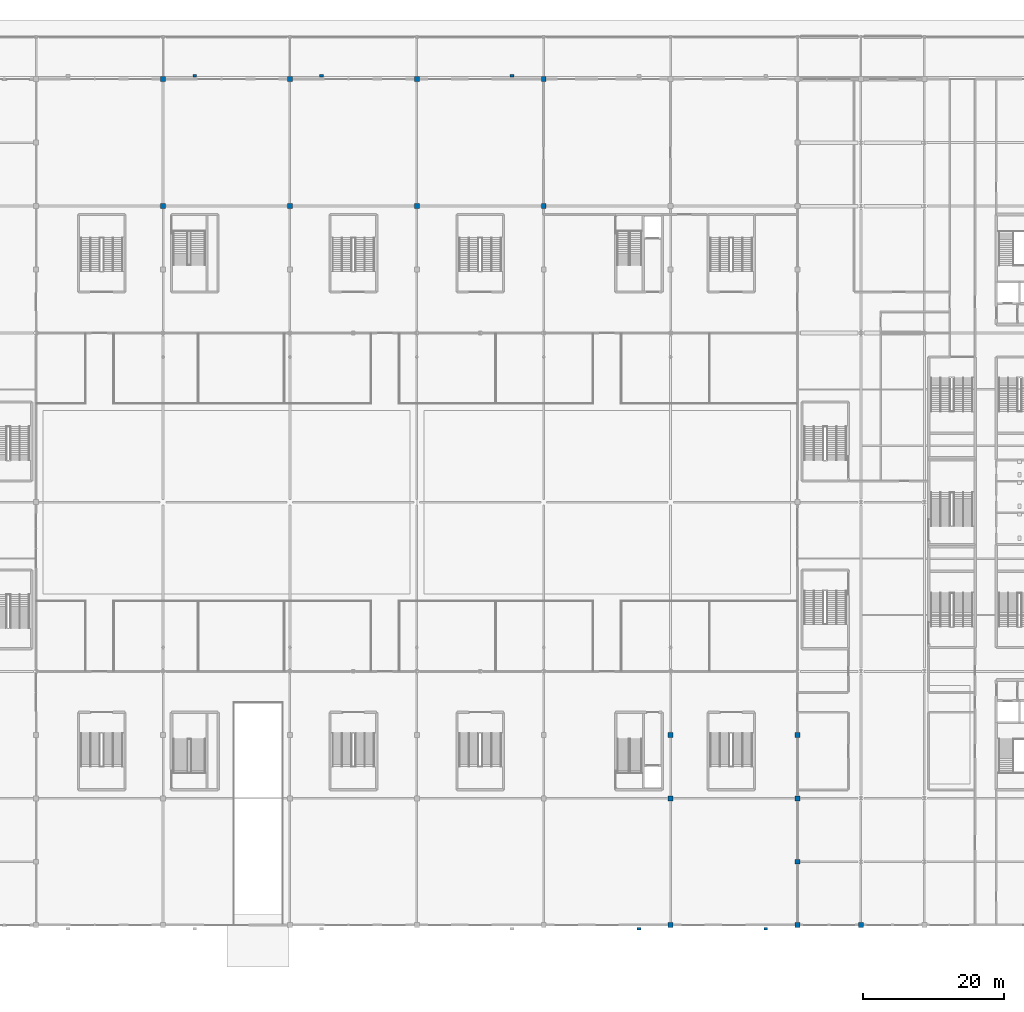
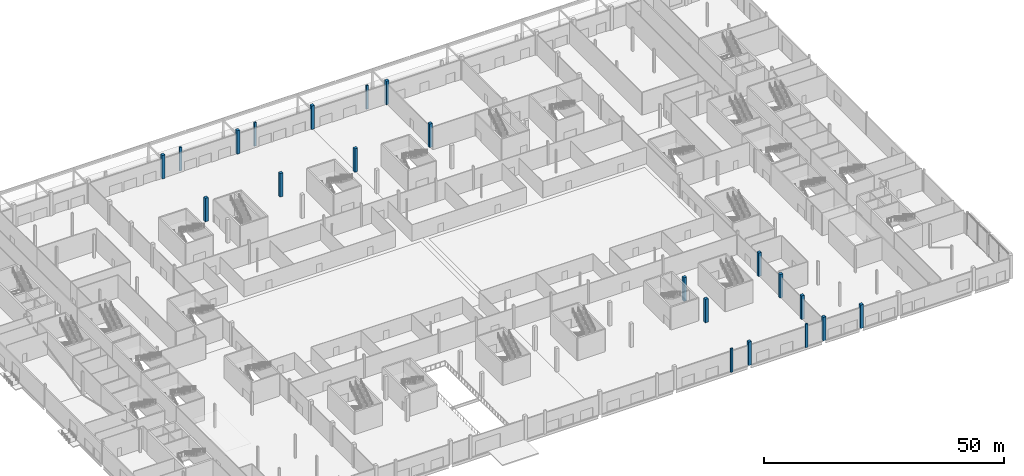
# One storey, part 9 of 84: 21 columns.
"""IFC4 building model written with IfcOpenShell, lengths in metres."""

from ifc_helpers import new_model, si_unit, direction, frame, origin, origin_2d, place, context, subcontext, project, spatial, rectangle, extrude, material, material_profile, profile_set, type_object, element, save


model = new_model("IFC4")

# Units and contexts
model_context = context("Model", 3, precision=1e-05, world=origin(), true_north=direction((0.0, 1.0)))
body_context = subcontext(model_context, "Body", "Model", "MODEL_VIEW")
ifc_project = project(units=[si_unit("LENGTHUNIT", "METRE"), si_unit("AREAUNIT", "SQUARE_METRE"), si_unit("VOLUMEUNIT", "CUBIC_METRE"), si_unit("PLANEANGLEUNIT", "RADIAN"), si_unit("MASSUNIT", "GRAM", prefix="KILO")], contexts=[model_context])

# Site, building, storey
site_placement = place(None, origin())
site = spatial("IfcSite", under=ifc_project, at=site_placement, CompositionType="ELEMENT")
building_placement = place(site_placement, origin())
building = spatial("IfcBuilding", under=site, at=building_placement, Name="Kisiwana Market Hall", CompositionType="ELEMENT")
storey_placement = place(building_placement, origin())
storey = spatial("IfcBuildingStorey", under=building, at=storey_placement, Name="L00", CompositionType="ELEMENT", Elevation=0.0)

# Columns
ifc_material_1 = material(Name="Concrete C40/50", Category="concrete")
ifc_material_profile_1 = material_profile(ifc_material_1, rectangle(XDim=0.699951171875, YDim=0.699951171875, at=origin_2d()), Name="RC 700x700")
ifc_profile_set_1 = profile_set([ifc_material_profile_1], Name="Concrete C40/50")
column_type_1 = type_object("IfcColumnType", Name="COL-RC-POD-700", PredefinedType="COLUMN", material=ifc_profile_set_1)
for number, where, z_axis, x_axis, name in (
    (1, (63.0, 102.0, 0.0), (0.0, 0.0, 1.0), (1.0, 0.0, 0.0), "Column N/8 (L00) C-0241"),
    (2, (63.0, 120.0, 0.0), (0.0, 0.0, 1.0), (1.0, 0.0, 0.0), "Column Q/8 (L00) C-0242"),
    (3, (81.0, 102.0, 0.0), (0.0, 0.0, 1.0), (1.0, 0.0, 0.0), "Column N/10 (L00) C-0250"),
    (4, (81.0, 120.0, 0.0), (0.0, 0.0, 1.0), (1.0, 0.0, 0.0), "Column Q/10 (L00) C-0251"),
    (5, (99.0, 102.0, 0.0), (0.0, 0.0, 1.0), (1.0, 0.0, 0.0), "Column N/12 (L00) C-0261"),
    (6, (99.0, 120.0, 0.0), (0.0, 0.0, 1.0), (1.0, 0.0, 0.0), "Column Q/12 (L00) C-0262"),
    (7, (117.0, 102.0, 0.0), (0.0, 0.0, 1.0), (1.0, 0.0, 0.0), "Column N/14 (L00) C-0272"),
    (8, (117.0, 120.0, 0.0), (0.0, 0.0, 1.0), (1.0, 0.0, 0.0), "Column Q/14 (L00) C-0273"),
    (9, (135.0, 0.0, 0.0), (0.0, 0.0, 1.0), (1.0, 0.0, 0.0), "Column A/16 (L00) C-0275"),
    (10, (135.0, 18.0, 0.0), (0.0, 0.0, 1.0), (1.0, 0.0, 0.0), "Column C/16 (L00) C-0276"),
    (11, (135.0, 27.0, 0.0), (0.0, 0.0, 1.0), (1.0, 0.0, 0.0), "Column D/16 (L00) C-0277"),
    (12, (153.0, 0.0, 0.0), (0.0, 0.0, 1.0), (1.0, 0.0, 0.0), "Column A/18 (L00) C-0284"),
    (13, (153.0, 9.0, 0.0), (0.0, 0.0, 1.0), (1.0, 0.0, 0.0), "Column B/18 (L00) C-0285"),
    (14, (153.0, 18.0, 0.0), (0.0, 0.0, 1.0), (1.0, 0.0, 0.0), "Column C/18 (L00) C-0286"),
    (15, (153.0, 27.0, 0.0), (0.0, 0.0, 1.0), (1.0, 0.0, 0.0), "Column D/18 (L00) C-0287"),
    (16, (162.0, 0.0, 0.0), (0.0, 0.0, 1.0), (1.0, 0.0, 0.0), "Column A/19 (L00) C-0296"),
):
    element("IfcColumn", number, at=place(storey_placement, frame(where, z_axis=z_axis, x_axis=x_axis)), inside=storey, type_object=column_type_1, Name=name, PredefinedType="COLUMN", context=body_context, shape_type="SweptSolid", body=[
        extrude(rectangle(XDim=0.699951171875, YDim=0.699951171875, at=origin_2d()), origin(), (0.0, 0.0, 1.0), 6.0),
    ])
ifc_material_2 = material(Name="Concrete C40/50", Category="concrete")
ifc_material_profile_2 = material_profile(ifc_material_2, rectangle(XDim=0.550048828125, YDim=0.35009765625, at=origin_2d()), Name="PIL 550x350")
ifc_profile_set_2 = profile_set([ifc_material_profile_2], Name="Concrete C40/50")
column_type_2 = type_object("IfcColumnType", Name="PIL-CONC-550", PredefinedType="PILASTER", material=ifc_profile_set_2)
for number, where, z_axis, x_axis, name in (
    (17, (130.5, -0.5, 0.0), (0.0, 0.0, 1.0), (1.0, 0.0, 0.0), "Facade pilaster A/15 (L00) C-0348"),
    (18, (148.5, -0.5, 0.0), (0.0, 0.0, 1.0), (1.0, 0.0, 0.0), "Facade pilaster A/17 (L00) C-0349"),
    (19, (67.5, 120.5, 0.0), (0.0, 0.0, 1.0), (1.0, 0.0, 0.0), "Facade pilaster Q/8 (L00) C-0351"),
    (20, (85.5, 120.5, 0.0), (0.0, 0.0, 1.0), (1.0, 0.0, 0.0), "Facade pilaster Q/10 (L00) C-0352"),
    (21, (112.5, 120.5, 0.0), (0.0, 0.0, 1.0), (1.0, 0.0, 0.0), "Facade pilaster Q/13 (L00) C-0353"),
):
    element("IfcColumn", number, at=place(storey_placement, frame(where, z_axis=z_axis, x_axis=x_axis)), inside=storey, type_object=column_type_2, Name=name, PredefinedType="PILASTER", context=body_context, shape_type="SweptSolid", body=[
        extrude(rectangle(XDim=0.550048828125, YDim=0.35009765625, at=origin_2d()), origin(), (0.0, 0.0, 1.0), 6.0),
    ])

save(model, "model.ifc")
